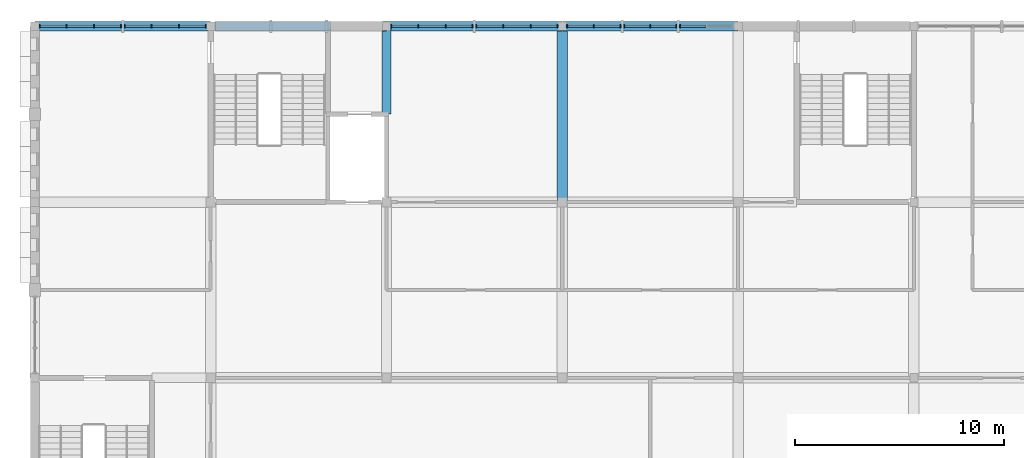
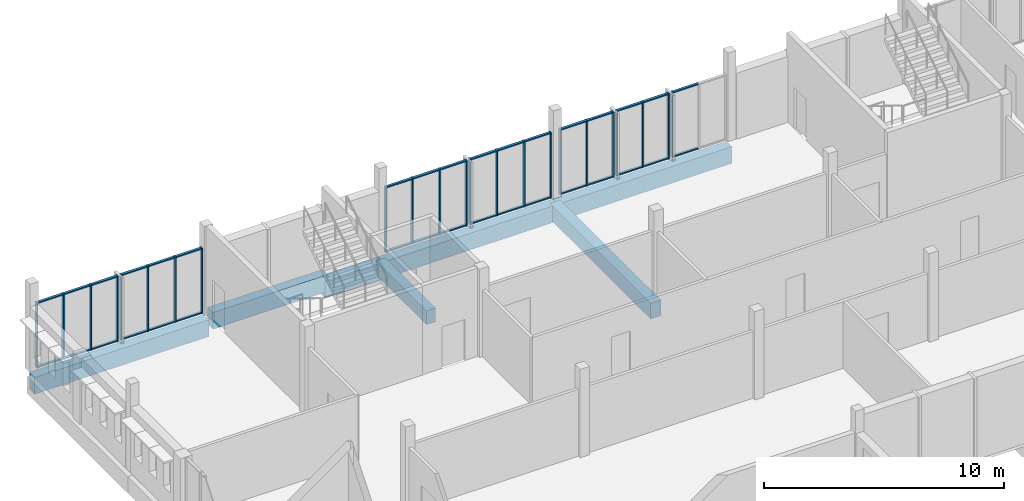
# One storey, part 9 of 30: 57 members, 7 beams, 7 elements without a shape of their own.
"""IFC4 building model written with IfcOpenShell, lengths in metres."""

from ifc_helpers import new_model, si_unit, direction, frame, origin, origin_2d, place, context, subcontext, project, spatial, rectangle, extrude, material, material_profile, profile_set, type_object, element, aggregate, save


model = new_model("IFC4")

# Units and contexts
model_context = context("Model", 3, precision=1e-05, world=origin(), true_north=direction((0.0, 1.0)))
body_context = subcontext(model_context, "Body", "Model", "MODEL_VIEW")
ifc_project = project(units=[si_unit("LENGTHUNIT", "METRE"), si_unit("AREAUNIT", "SQUARE_METRE"), si_unit("VOLUMEUNIT", "CUBIC_METRE"), si_unit("PLANEANGLEUNIT", "RADIAN"), si_unit("MASSUNIT", "GRAM", prefix="KILO")], contexts=[model_context])

# Site, building, storey
site_placement = place(None, origin())
site = spatial("IfcSite", under=ifc_project, at=site_placement, CompositionType="ELEMENT")
building_placement = place(site_placement, origin())
building = spatial("IfcBuilding", under=site, at=building_placement, Name="Fescue Hill Polytechnic", CompositionType="ELEMENT")
storey_placement = place(building_placement, frame((0.0, 0.0, 22.5)))
storey = spatial("IfcBuildingStorey", under=building, at=storey_placement, Name="L05", CompositionType="ELEMENT", Elevation=22.5)

# Beams
ifc_material_1 = material(Name="Concrete 35 MPa", Category="concrete")
ifc_material_profile_1 = material_profile(ifc_material_1, rectangle(XDim=0.449951171875, YDim=0.699951171875, at=origin_2d()), Name="RC 450x700")
ifc_profile_set_1 = profile_set([ifc_material_profile_1], Name="Concrete 35 MPa")
beam_type_1 = type_object("IfcBeamType", Name="Beam RC 450x700", PredefinedType="BEAM", material=ifc_profile_set_1)
beam_1_placement = place(storey_placement, frame((16.800048828125, 130.199951171875, -0.64990234375), z_axis=(0.0, 1.0, 0.0), x_axis=(-1.0, 0.0, 0.0)))
element("IfcBeam", 1, at=beam_1_placement, inside=storey, type_object=beam_type_1, Name="BM-L05-0042", PredefinedType="BEAM", context=body_context, shape_type="SweptSolid", body=[
    extrude(rectangle(XDim=0.449951171875, YDim=0.699951171875, at=origin_2d()), origin(), (0.0, 0.0, 1.0), 4.199951171875),
])
ifc_material_profile_2 = material_profile(ifc_material_1, rectangle(XDim=0.449951171875, YDim=0.85009765625, at=origin_2d()), Name="RC 450x850")
ifc_profile_set_2 = profile_set([ifc_material_profile_2], Name="Concrete 35 MPa")
beam_type_2 = type_object("IfcBeamType", Name="Beam RC 450x850", PredefinedType="BEAM", material=ifc_profile_set_2)
beam_2_placement = place(storey_placement, frame((0.010009765625, 134.39990234375, -0.72509765625), z_axis=(1.0, 0.0, 0.0), x_axis=(0.0, 1.0, 0.0)))
element("IfcBeam", 2, at=beam_2_placement, inside=storey, type_object=beam_type_2, Name="BM-L05-0013", PredefinedType="BEAM", context=body_context, shape_type="SweptSolid", body=[
    extrude(rectangle(XDim=0.449951171875, YDim=0.85009765625, at=origin_2d()), origin(), (0.0, 0.0, 1.0), 8.389892578125),
])
beam_3_placement = place(storey_placement, frame((14.0, 134.39990234375, -0.72509765625), z_axis=(1.0, 0.0, 0.0), x_axis=(0.0, 1.0, 0.0)))
element("IfcBeam", 3, at=beam_3_placement, inside=storey, type_object=beam_type_2, Name="BM-L05-0031", PredefinedType="BEAM", context=body_context, shape_type="SweptSolid", body=[
    extrude(rectangle(XDim=0.449951171875, YDim=0.85009765625, at=origin_2d()), origin(), (0.0, 0.0, 1.0), 2.7900390625),
])
beam_4_placement = place(storey_placement, frame((16.81005859375, 134.39990234375, -0.72509765625), z_axis=(1.0, 0.0, 0.0), x_axis=(0.0, 1.0, 0.0)))
element("IfcBeam", 4, at=beam_4_placement, inside=storey, type_object=beam_type_2, Name="BM-L05-0050", PredefinedType="BEAM", context=body_context, shape_type="SweptSolid", body=[
    extrude(rectangle(XDim=0.449951171875, YDim=0.85009765625, at=origin_2d()), origin(), (0.0, 0.0, 1.0), 8.3798828125),
])
beam_5_placement = place(storey_placement, frame((25.2099609375, 134.39990234375, -0.72509765625), z_axis=(1.0, 0.0, 0.0), x_axis=(0.0, 1.0, 0.0)))
element("IfcBeam", 5, at=beam_5_placement, inside=storey, type_object=beam_type_2, Name="BM-L05-0060", PredefinedType="BEAM", context=body_context, shape_type="SweptSolid", body=[
    extrude(rectangle(XDim=0.449951171875, YDim=0.85009765625, at=origin_2d()), origin(), (0.0, 0.0, 1.0), 8.380126953125),
])
beam_6_placement = place(storey_placement, frame((8.60009765625, 134.39990234375, -0.425048828125), z_axis=(1.0, 0.0, 0.0), x_axis=(0.0, 1.0, 0.0)))
element("IfcBeam", 6, at=beam_6_placement, inside=storey, type_object=beam_type_2, Name="BM-L05-0109", PredefinedType="BEAM", context=body_context, shape_type="SweptSolid", body=[
    extrude(rectangle(XDim=0.449951171875, YDim=0.85009765625, at=origin_2d()), origin(), (0.0, 0.0, 1.0), 5.52490234375),
])
ifc_material_profile_3 = material_profile(ifc_material_1, rectangle(XDim=0.5, YDim=0.800048828125, at=origin_2d()), Name="RC 500x800")
ifc_profile_set_3 = profile_set([ifc_material_profile_3], Name="Concrete 35 MPa")
beam_type_3 = type_object("IfcBeamType", Name="Beam RC 500x800", PredefinedType="BEAM", material=ifc_profile_set_3)
beam_7_placement = place(storey_placement, frame((25.199951171875, 126.0, -0.699951171875), z_axis=(0.0, 1.0, 0.0), x_axis=(-1.0, 0.0, 0.0)))
element("IfcBeam", 7, at=beam_7_placement, inside=storey, type_object=beam_type_3, Name="BM-L05-0058", PredefinedType="BEAM", context=body_context, shape_type="SweptSolid", body=[
    extrude(rectangle(XDim=0.5, YDim=0.800048828125, at=origin_2d()), origin(), (0.0, 0.0, 1.0), 8.39990234375),
])

# Curtain wall, member
ifc_material_2 = material(Name="Glass", Category="glass")
curtain_wall_type = type_object("IfcCurtainWallType", Name="Curtain wall structural glazing", PredefinedType="NOTDEFINED", material=ifc_material_2)
curtain_wall_1_placement = place(storey_placement, origin())
curtain_wall_1 = element("IfcCurtainWall", 8, at=curtain_wall_1_placement, inside=storey, type_object=curtain_wall_type, Name="CW-L05-V5-2", PredefinedType="NOTDEFINED")
ifc_material_3 = material(Name="Powder-coated aluminium", Category="aluminium")
ifc_material_profile_4 = material_profile(ifc_material_3, rectangle(XDim=0.159912109375, YDim=0.06005859375, at=origin_2d()), Name="Mullion aluminium 60x160")
ifc_profile_set_4 = profile_set([ifc_material_profile_4], Name="Powder-coated aluminium")
member_type_1 = type_object("IfcMemberType", Name="Mullion aluminium 60x160", PredefinedType="MULLION", material=ifc_profile_set_4)
member_1_placement = place(storey_placement, frame((30.8232421875, 134.39990234375, 0.0), z_axis=(0.0, 0.0, 1.0), x_axis=(0.0, -1.0, 0.0)))
member_1 = element("IfcMember", 9, at=member_1_placement, type_object=member_type_1, Name="CW93 mullion 3", PredefinedType="MULLION", context=body_context, shape_type="SweptSolid", body=[
    extrude(rectangle(XDim=0.159912109375, YDim=0.06005859375, at=origin_2d()), origin(), (0.0, 0.0, 1.0), 3.330078125),
])

# Curtain wall, members
curtain_wall_2_placement = place(storey_placement, origin())
curtain_wall_2 = element("IfcCurtainWall", 10, at=curtain_wall_2_placement, inside=storey, type_object=curtain_wall_type, Name="CW-L05-V5-3", PredefinedType="NOTDEFINED")
member_2_placement = place(storey_placement, frame((30.643310546875, 134.39990234375, 0.0), z_axis=(0.0, 0.0, 1.0), x_axis=(0.0, -1.0, 0.0)))
member_2 = element("IfcMember", 11, at=member_2_placement, type_object=member_type_1, Name="CW94 mullion 1", PredefinedType="MULLION", context=body_context, shape_type="SweptSolid", body=[
    extrude(rectangle(XDim=0.159912109375, YDim=0.06005859375, at=origin_2d()), origin(), (0.0, 0.0, 1.0), 3.330078125),
])
member_3_placement = place(storey_placement, frame((29.39990234375, 134.39990234375, 0.0), z_axis=(0.0, 0.0, 1.0), x_axis=(0.0, -1.0, 0.0)))
member_3 = element("IfcMember", 12, at=member_3_placement, type_object=member_type_1, Name="CW94 mullion 2", PredefinedType="MULLION", context=body_context, shape_type="SweptSolid", body=[
    extrude(rectangle(XDim=0.159912109375, YDim=0.06005859375, at=origin_2d()), origin(), (0.0, 0.0, 1.0), 3.330078125),
])
member_4_placement = place(storey_placement, frame((28.15673828125, 134.39990234375, 0.0), z_axis=(0.0, 0.0, 1.0), x_axis=(0.0, -1.0, 0.0)))
member_4 = element("IfcMember", 13, at=member_4_placement, type_object=member_type_1, Name="CW94 mullion 3", PredefinedType="MULLION", context=body_context, shape_type="SweptSolid", body=[
    extrude(rectangle(XDim=0.159912109375, YDim=0.06005859375, at=origin_2d()), origin(), (0.0, 0.0, 1.0), 3.330078125),
])

curtain_wall_3_placement = place(storey_placement, origin())
curtain_wall_3 = element("IfcCurtainWall", 14, at=curtain_wall_3_placement, inside=storey, type_object=curtain_wall_type, Name="CW-L05-V5-4", PredefinedType="NOTDEFINED")
member_5_placement = place(storey_placement, frame((27.976806640625, 134.39990234375, 0.0), z_axis=(0.0, 0.0, 1.0), x_axis=(0.0, -1.0, 0.0)))
member_5 = element("IfcMember", 15, at=member_5_placement, type_object=member_type_1, Name="CW95 mullion 1", PredefinedType="MULLION", context=body_context, shape_type="SweptSolid", body=[
    extrude(rectangle(XDim=0.159912109375, YDim=0.06005859375, at=origin_2d()), origin(), (0.0, 0.0, 1.0), 3.330078125),
])
member_6_placement = place(storey_placement, frame((26.703369140625, 134.39990234375, 0.0), z_axis=(0.0, 0.0, 1.0), x_axis=(0.0, -1.0, 0.0)))
member_6 = element("IfcMember", 16, at=member_6_placement, type_object=member_type_1, Name="CW95 mullion 2", PredefinedType="MULLION", context=body_context, shape_type="SweptSolid", body=[
    extrude(rectangle(XDim=0.159912109375, YDim=0.06005859375, at=origin_2d()), origin(), (0.0, 0.0, 1.0), 3.330078125),
])
member_7_placement = place(storey_placement, frame((25.429931640625, 134.39990234375, 0.0), z_axis=(0.0, 0.0, 1.0), x_axis=(0.0, -1.0, 0.0)))
member_7 = element("IfcMember", 17, at=member_7_placement, type_object=member_type_1, Name="CW95 mullion 3", PredefinedType="MULLION", context=body_context, shape_type="SweptSolid", body=[
    extrude(rectangle(XDim=0.159912109375, YDim=0.06005859375, at=origin_2d()), origin(), (0.0, 0.0, 1.0), 3.330078125),
])

curtain_wall_4_placement = place(storey_placement, origin())
curtain_wall_4 = element("IfcCurtainWall", 18, at=curtain_wall_4_placement, inside=storey, type_object=curtain_wall_type, Name="CW-L05-V5-5", PredefinedType="NOTDEFINED")
member_8_placement = place(storey_placement, frame((24.969970703125, 134.39990234375, 0.0), z_axis=(0.0, 0.0, 1.0), x_axis=(0.0, -1.0, 0.0)))
member_8 = element("IfcMember", 19, at=member_8_placement, type_object=member_type_1, Name="CW96 mullion 1", PredefinedType="MULLION", context=body_context, shape_type="SweptSolid", body=[
    extrude(rectangle(XDim=0.159912109375, YDim=0.06005859375, at=origin_2d()), origin(), (0.0, 0.0, 1.0), 3.330078125),
])
member_9_placement = place(storey_placement, frame((23.686767578125, 134.39990234375, 0.0), z_axis=(0.0, 0.0, 1.0), x_axis=(0.0, -1.0, 0.0)))
member_9 = element("IfcMember", 20, at=member_9_placement, type_object=member_type_1, Name="CW96 mullion 2", PredefinedType="MULLION", context=body_context, shape_type="SweptSolid", body=[
    extrude(rectangle(XDim=0.159912109375, YDim=0.06005859375, at=origin_2d()), origin(), (0.0, 0.0, 1.0), 3.330078125),
])
member_10_placement = place(storey_placement, frame((22.373291015625, 134.39990234375, 0.0), z_axis=(0.0, 0.0, 1.0), x_axis=(0.0, -1.0, 0.0)))
member_10 = element("IfcMember", 21, at=member_10_placement, type_object=member_type_1, Name="CW96 mullion 3", PredefinedType="MULLION", context=body_context, shape_type="SweptSolid", body=[
    extrude(rectangle(XDim=0.159912109375, YDim=0.06005859375, at=origin_2d()), origin(), (0.0, 0.0, 1.0), 3.330078125),
])
member_11_placement = place(storey_placement, frame((21.090087890625, 134.39990234375, 0.0), z_axis=(0.0, 0.0, 1.0), x_axis=(0.0, -1.0, 0.0)))
member_11 = element("IfcMember", 22, at=member_11_placement, type_object=member_type_1, Name="CW96 mullion 4", PredefinedType="MULLION", context=body_context, shape_type="SweptSolid", body=[
    extrude(rectangle(XDim=0.159912109375, YDim=0.06005859375, at=origin_2d()), origin(), (0.0, 0.0, 1.0), 3.330078125),
])

curtain_wall_5_placement = place(storey_placement, origin())
curtain_wall_5 = element("IfcCurtainWall", 23, at=curtain_wall_5_placement, inside=storey, type_object=curtain_wall_type, Name="CW-L05-V5-6", PredefinedType="NOTDEFINED")
member_12_placement = place(storey_placement, frame((20.909912109375, 134.39990234375, 0.0), z_axis=(0.0, 0.0, 1.0), x_axis=(0.0, -1.0, 0.0)))
member_12 = element("IfcMember", 24, at=member_12_placement, type_object=member_type_1, Name="CW97 mullion 1", PredefinedType="MULLION", context=body_context, shape_type="SweptSolid", body=[
    extrude(rectangle(XDim=0.159912109375, YDim=0.06005859375, at=origin_2d()), origin(), (0.0, 0.0, 1.0), 3.330078125),
])
member_13_placement = place(storey_placement, frame((19.626708984375, 134.39990234375, 0.0), z_axis=(0.0, 0.0, 1.0), x_axis=(0.0, -1.0, 0.0)))
member_13 = element("IfcMember", 25, at=member_13_placement, type_object=member_type_1, Name="CW97 mullion 2", PredefinedType="MULLION", context=body_context, shape_type="SweptSolid", body=[
    extrude(rectangle(XDim=0.159912109375, YDim=0.06005859375, at=origin_2d()), origin(), (0.0, 0.0, 1.0), 3.330078125),
])
member_14_placement = place(storey_placement, frame((18.313232421875, 134.39990234375, 0.0), z_axis=(0.0, 0.0, 1.0), x_axis=(0.0, -1.0, 0.0)))
member_14 = element("IfcMember", 26, at=member_14_placement, type_object=member_type_1, Name="CW97 mullion 3", PredefinedType="MULLION", context=body_context, shape_type="SweptSolid", body=[
    extrude(rectangle(XDim=0.159912109375, YDim=0.06005859375, at=origin_2d()), origin(), (0.0, 0.0, 1.0), 3.330078125),
])
member_15_placement = place(storey_placement, frame((17.030029296875, 134.39990234375, 0.0), z_axis=(0.0, 0.0, 1.0), x_axis=(0.0, -1.0, 0.0)))
member_15 = element("IfcMember", 27, at=member_15_placement, type_object=member_type_1, Name="CW97 mullion 4", PredefinedType="MULLION", context=body_context, shape_type="SweptSolid", body=[
    extrude(rectangle(XDim=0.159912109375, YDim=0.06005859375, at=origin_2d()), origin(), (0.0, 0.0, 1.0), 3.330078125),
])

curtain_wall_6_placement = place(storey_placement, origin())
curtain_wall_6 = element("IfcCurtainWall", 28, at=curtain_wall_6_placement, inside=storey, type_object=curtain_wall_type, Name="CW-L05-V5-7", PredefinedType="NOTDEFINED")
member_16_placement = place(storey_placement, frame((4.110107421875, 134.39990234375, 0.0), z_axis=(0.0, 0.0, 1.0), x_axis=(0.0, -1.0, 0.0)))
member_16 = element("IfcMember", 29, at=member_16_placement, type_object=member_type_1, Name="CW98 mullion 1", PredefinedType="MULLION", context=body_context, shape_type="SweptSolid", body=[
    extrude(rectangle(XDim=0.159912109375, YDim=0.06005859375, at=origin_2d()), origin(), (0.0, 0.0, 1.0), 3.330078125),
])
member_17_placement = place(storey_placement, frame((2.82666015625, 134.39990234375, 0.0), z_axis=(0.0, 0.0, 1.0), x_axis=(0.0, -1.0, 0.0)))
member_17 = element("IfcMember", 30, at=member_17_placement, type_object=member_type_1, Name="CW98 mullion 2", PredefinedType="MULLION", context=body_context, shape_type="SweptSolid", body=[
    extrude(rectangle(XDim=0.159912109375, YDim=0.06005859375, at=origin_2d()), origin(), (0.0, 0.0, 1.0), 3.330078125),
])
member_18_placement = place(storey_placement, frame((1.513427734375, 134.39990234375, 0.0), z_axis=(0.0, 0.0, 1.0), x_axis=(0.0, -1.0, 0.0)))
member_18 = element("IfcMember", 31, at=member_18_placement, type_object=member_type_1, Name="CW98 mullion 3", PredefinedType="MULLION", context=body_context, shape_type="SweptSolid", body=[
    extrude(rectangle(XDim=0.159912109375, YDim=0.06005859375, at=origin_2d()), origin(), (0.0, 0.0, 1.0), 3.330078125),
])
member_19_placement = place(storey_placement, frame((0.22998046875, 134.39990234375, 0.0), z_axis=(0.0, 0.0, 1.0), x_axis=(0.0, -1.0, 0.0)))
member_19 = element("IfcMember", 32, at=member_19_placement, type_object=member_type_1, Name="CW98 mullion 4", PredefinedType="MULLION", context=body_context, shape_type="SweptSolid", body=[
    extrude(rectangle(XDim=0.159912109375, YDim=0.06005859375, at=origin_2d()), origin(), (0.0, 0.0, 1.0), 3.330078125),
])

curtain_wall_7_placement = place(storey_placement, origin())
curtain_wall_7 = element("IfcCurtainWall", 33, at=curtain_wall_7_placement, inside=storey, type_object=curtain_wall_type, Name="CW-L05-V5-X3", PredefinedType="NOTDEFINED")
member_20_placement = place(storey_placement, frame((8.169921875, 134.39990234375, 0.0), z_axis=(0.0, 0.0, 1.0), x_axis=(0.0, -1.0, 0.0)))
member_20 = element("IfcMember", 34, at=member_20_placement, type_object=member_type_1, Name="CW160 mullion 1", PredefinedType="MULLION", context=body_context, shape_type="SweptSolid", body=[
    extrude(rectangle(XDim=0.159912109375, YDim=0.06005859375, at=origin_2d()), origin(), (0.0, 0.0, 1.0), 3.330078125),
])
member_21_placement = place(storey_placement, frame((6.88671875, 134.39990234375, 0.0), z_axis=(0.0, 0.0, 1.0), x_axis=(0.0, -1.0, 0.0)))
member_21 = element("IfcMember", 35, at=member_21_placement, type_object=member_type_1, Name="CW160 mullion 2", PredefinedType="MULLION", context=body_context, shape_type="SweptSolid", body=[
    extrude(rectangle(XDim=0.159912109375, YDim=0.06005859375, at=origin_2d()), origin(), (0.0, 0.0, 1.0), 3.330078125),
])
member_22_placement = place(storey_placement, frame((5.5732421875, 134.39990234375, 0.0), z_axis=(0.0, 0.0, 1.0), x_axis=(0.0, -1.0, 0.0)))
member_22 = element("IfcMember", 36, at=member_22_placement, type_object=member_type_1, Name="CW160 mullion 3", PredefinedType="MULLION", context=body_context, shape_type="SweptSolid", body=[
    extrude(rectangle(XDim=0.159912109375, YDim=0.06005859375, at=origin_2d()), origin(), (0.0, 0.0, 1.0), 3.330078125),
])
member_23_placement = place(storey_placement, frame((4.2900390625, 134.39990234375, 0.0), z_axis=(0.0, 0.0, 1.0), x_axis=(0.0, -1.0, 0.0)))
member_23 = element("IfcMember", 37, at=member_23_placement, type_object=member_type_1, Name="CW160 mullion 4", PredefinedType="MULLION", context=body_context, shape_type="SweptSolid", body=[
    extrude(rectangle(XDim=0.159912109375, YDim=0.06005859375, at=origin_2d()), origin(), (0.0, 0.0, 1.0), 3.330078125),
])

# Member
ifc_material_profile_5 = material_profile(ifc_material_3, rectangle(XDim=0.1201171875, YDim=0.06005859375, at=origin_2d()), Name="Transom aluminium 60x120")
ifc_profile_set_5 = profile_set([ifc_material_profile_5], Name="Powder-coated aluminium")
member_type_2 = type_object("IfcMemberType", Name="Transom aluminium 60x120", PredefinedType="USERDEFINED", material=ifc_profile_set_5)
member_24_placement = place(storey_placement, frame((32.066650390625, 134.39990234375, 0.030029296875), z_axis=(-1.0, 0.0, 0.0), x_axis=(0.0, -1.0, 0.0)))
member_24 = element("IfcMember", 38, at=member_24_placement, type_object=member_type_2, Name="CW93 transom 2.1", ObjectType="TRANSOM", PredefinedType="USERDEFINED", context=body_context, shape_type="SweptSolid", body=[
    extrude(rectangle(XDim=0.1201171875, YDim=0.06005859375, at=origin_2d()), origin(), (0.0, 0.0, 1.0), 1.21337890625),
])

member_25_placement = place(storey_placement, frame((32.066650390625, 134.39990234375, 3.300048828125), z_axis=(-1.0, 0.0, 0.0), x_axis=(0.0, -1.0, 0.0)))
member_25 = element("IfcMember", 39, at=member_25_placement, type_object=member_type_2, Name="CW93 transom 2.2", ObjectType="TRANSOM", PredefinedType="USERDEFINED", context=body_context, shape_type="SweptSolid", body=[
    extrude(rectangle(XDim=0.1201171875, YDim=0.06005859375, at=origin_2d()), origin(), (0.0, 0.0, 1.0), 1.21337890625),
])

aggregate(curtain_wall_1, [member_1, member_24, member_25])

member_26_placement = place(storey_placement, frame((30.61328125, 134.39990234375, 0.030029296875), z_axis=(-1.0, 0.0, 0.0), x_axis=(0.0, -1.0, 0.0)))
member_26 = element("IfcMember", 40, at=member_26_placement, type_object=member_type_2, Name="CW94 transom 1.1", ObjectType="TRANSOM", PredefinedType="USERDEFINED", context=body_context, shape_type="SweptSolid", body=[
    extrude(rectangle(XDim=0.1201171875, YDim=0.06005859375, at=origin_2d()), origin(), (0.0, 0.0, 1.0), 1.183349609375),
])

member_27_placement = place(storey_placement, frame((30.61328125, 134.39990234375, 3.300048828125), z_axis=(-1.0, 0.0, 0.0), x_axis=(0.0, -1.0, 0.0)))
member_27 = element("IfcMember", 41, at=member_27_placement, type_object=member_type_2, Name="CW94 transom 1.2", ObjectType="TRANSOM", PredefinedType="USERDEFINED", context=body_context, shape_type="SweptSolid", body=[
    extrude(rectangle(XDim=0.1201171875, YDim=0.06005859375, at=origin_2d()), origin(), (0.0, 0.0, 1.0), 1.183349609375),
])

member_28_placement = place(storey_placement, frame((29.3701171875, 134.39990234375, 0.030029296875), z_axis=(-1.0, 0.0, 0.0), x_axis=(0.0, -1.0, 0.0)))
member_28 = element("IfcMember", 42, at=member_28_placement, type_object=member_type_2, Name="CW94 transom 2.1", ObjectType="TRANSOM", PredefinedType="USERDEFINED", context=body_context, shape_type="SweptSolid", body=[
    extrude(rectangle(XDim=0.1201171875, YDim=0.06005859375, at=origin_2d()), origin(), (0.0, 0.0, 1.0), 1.183349609375),
])

member_29_placement = place(storey_placement, frame((29.3701171875, 134.39990234375, 3.300048828125), z_axis=(-1.0, 0.0, 0.0), x_axis=(0.0, -1.0, 0.0)))
member_29 = element("IfcMember", 43, at=member_29_placement, type_object=member_type_2, Name="CW94 transom 2.2", ObjectType="TRANSOM", PredefinedType="USERDEFINED", context=body_context, shape_type="SweptSolid", body=[
    extrude(rectangle(XDim=0.1201171875, YDim=0.06005859375, at=origin_2d()), origin(), (0.0, 0.0, 1.0), 1.183349609375),
])

aggregate(curtain_wall_2, [member_2, member_3, member_4, member_26, member_27, member_28, member_29])

member_30_placement = place(storey_placement, frame((27.94677734375, 134.39990234375, 0.030029296875), z_axis=(-1.0, 0.0, 0.0), x_axis=(0.0, -1.0, 0.0)))
member_30 = element("IfcMember", 44, at=member_30_placement, type_object=member_type_2, Name="CW95 transom 1.1", ObjectType="TRANSOM", PredefinedType="USERDEFINED", context=body_context, shape_type="SweptSolid", body=[
    extrude(rectangle(XDim=0.1201171875, YDim=0.06005859375, at=origin_2d()), origin(), (0.0, 0.0, 1.0), 1.21337890625),
])

member_31_placement = place(storey_placement, frame((27.94677734375, 134.39990234375, 3.300048828125), z_axis=(-1.0, 0.0, 0.0), x_axis=(0.0, -1.0, 0.0)))
member_31 = element("IfcMember", 45, at=member_31_placement, type_object=member_type_2, Name="CW95 transom 1.2", ObjectType="TRANSOM", PredefinedType="USERDEFINED", context=body_context, shape_type="SweptSolid", body=[
    extrude(rectangle(XDim=0.1201171875, YDim=0.06005859375, at=origin_2d()), origin(), (0.0, 0.0, 1.0), 1.21337890625),
])

member_32_placement = place(storey_placement, frame((26.67333984375, 134.39990234375, 0.030029296875), z_axis=(-1.0, 0.0, 0.0), x_axis=(0.0, -1.0, 0.0)))
member_32 = element("IfcMember", 46, at=member_32_placement, type_object=member_type_2, Name="CW95 transom 2.1", ObjectType="TRANSOM", PredefinedType="USERDEFINED", context=body_context, shape_type="SweptSolid", body=[
    extrude(rectangle(XDim=0.1201171875, YDim=0.06005859375, at=origin_2d()), origin(), (0.0, 0.0, 1.0), 1.21337890625),
])

member_33_placement = place(storey_placement, frame((26.67333984375, 134.39990234375, 3.300048828125), z_axis=(-1.0, 0.0, 0.0), x_axis=(0.0, -1.0, 0.0)))
member_33 = element("IfcMember", 47, at=member_33_placement, type_object=member_type_2, Name="CW95 transom 2.2", ObjectType="TRANSOM", PredefinedType="USERDEFINED", context=body_context, shape_type="SweptSolid", body=[
    extrude(rectangle(XDim=0.1201171875, YDim=0.06005859375, at=origin_2d()), origin(), (0.0, 0.0, 1.0), 1.21337890625),
])

aggregate(curtain_wall_3, [member_5, member_6, member_7, member_30, member_31, member_32, member_33])

member_34_placement = place(storey_placement, frame((24.93994140625, 134.39990234375, 0.030029296875), z_axis=(-1.0, 0.0, 0.0), x_axis=(0.0, -1.0, 0.0)))
member_34 = element("IfcMember", 48, at=member_34_placement, type_object=member_type_2, Name="CW96 transom 1.1", ObjectType="TRANSOM", PredefinedType="USERDEFINED", context=body_context, shape_type="SweptSolid", body=[
    extrude(rectangle(XDim=0.1201171875, YDim=0.06005859375, at=origin_2d()), origin(), (0.0, 0.0, 1.0), 1.223388671875),
])

member_35_placement = place(storey_placement, frame((24.93994140625, 134.39990234375, 3.300048828125), z_axis=(-1.0, 0.0, 0.0), x_axis=(0.0, -1.0, 0.0)))
member_35 = element("IfcMember", 49, at=member_35_placement, type_object=member_type_2, Name="CW96 transom 1.2", ObjectType="TRANSOM", PredefinedType="USERDEFINED", context=body_context, shape_type="SweptSolid", body=[
    extrude(rectangle(XDim=0.1201171875, YDim=0.06005859375, at=origin_2d()), origin(), (0.0, 0.0, 1.0), 1.223388671875),
])

member_36_placement = place(storey_placement, frame((23.65673828125, 134.39990234375, 0.030029296875), z_axis=(-1.0, 0.0, 0.0), x_axis=(0.0, -1.0, 0.0)))
member_36 = element("IfcMember", 50, at=member_36_placement, type_object=member_type_2, Name="CW96 transom 2.1", ObjectType="TRANSOM", PredefinedType="USERDEFINED", context=body_context, shape_type="SweptSolid", body=[
    extrude(rectangle(XDim=0.1201171875, YDim=0.06005859375, at=origin_2d()), origin(), (0.0, 0.0, 1.0), 1.25341796875),
])

member_37_placement = place(storey_placement, frame((23.65673828125, 134.39990234375, 3.300048828125), z_axis=(-1.0, 0.0, 0.0), x_axis=(0.0, -1.0, 0.0)))
member_37 = element("IfcMember", 51, at=member_37_placement, type_object=member_type_2, Name="CW96 transom 2.2", ObjectType="TRANSOM", PredefinedType="USERDEFINED", context=body_context, shape_type="SweptSolid", body=[
    extrude(rectangle(XDim=0.1201171875, YDim=0.06005859375, at=origin_2d()), origin(), (0.0, 0.0, 1.0), 1.25341796875),
])

member_38_placement = place(storey_placement, frame((22.34326171875, 134.39990234375, 0.030029296875), z_axis=(-1.0, 0.0, 0.0), x_axis=(0.0, -1.0, 0.0)))
member_38 = element("IfcMember", 52, at=member_38_placement, type_object=member_type_2, Name="CW96 transom 3.1", ObjectType="TRANSOM", PredefinedType="USERDEFINED", context=body_context, shape_type="SweptSolid", body=[
    extrude(rectangle(XDim=0.1201171875, YDim=0.06005859375, at=origin_2d()), origin(), (0.0, 0.0, 1.0), 1.22314453125),
])

member_39_placement = place(storey_placement, frame((22.34326171875, 134.39990234375, 3.300048828125), z_axis=(-1.0, 0.0, 0.0), x_axis=(0.0, -1.0, 0.0)))
member_39 = element("IfcMember", 53, at=member_39_placement, type_object=member_type_2, Name="CW96 transom 3.2", ObjectType="TRANSOM", PredefinedType="USERDEFINED", context=body_context, shape_type="SweptSolid", body=[
    extrude(rectangle(XDim=0.1201171875, YDim=0.06005859375, at=origin_2d()), origin(), (0.0, 0.0, 1.0), 1.22314453125),
])

aggregate(curtain_wall_4, [member_8, member_9, member_10, member_11, member_34, member_35, member_36, member_37, member_38, member_39])

member_40_placement = place(storey_placement, frame((20.8798828125, 134.39990234375, 0.030029296875), z_axis=(-1.0, 0.0, 0.0), x_axis=(0.0, -1.0, 0.0)))
member_40 = element("IfcMember", 54, at=member_40_placement, type_object=member_type_2, Name="CW97 transom 1.1", ObjectType="TRANSOM", PredefinedType="USERDEFINED", context=body_context, shape_type="SweptSolid", body=[
    extrude(rectangle(XDim=0.1201171875, YDim=0.06005859375, at=origin_2d()), origin(), (0.0, 0.0, 1.0), 1.22314453125),
])

member_41_placement = place(storey_placement, frame((20.8798828125, 134.39990234375, 3.300048828125), z_axis=(-1.0, 0.0, 0.0), x_axis=(0.0, -1.0, 0.0)))
member_41 = element("IfcMember", 55, at=member_41_placement, type_object=member_type_2, Name="CW97 transom 1.2", ObjectType="TRANSOM", PredefinedType="USERDEFINED", context=body_context, shape_type="SweptSolid", body=[
    extrude(rectangle(XDim=0.1201171875, YDim=0.06005859375, at=origin_2d()), origin(), (0.0, 0.0, 1.0), 1.22314453125),
])

member_42_placement = place(storey_placement, frame((19.5966796875, 134.39990234375, 0.030029296875), z_axis=(-1.0, 0.0, 0.0), x_axis=(0.0, -1.0, 0.0)))
member_42 = element("IfcMember", 56, at=member_42_placement, type_object=member_type_2, Name="CW97 transom 2.1", ObjectType="TRANSOM", PredefinedType="USERDEFINED", context=body_context, shape_type="SweptSolid", body=[
    extrude(rectangle(XDim=0.1201171875, YDim=0.06005859375, at=origin_2d()), origin(), (0.0, 0.0, 1.0), 1.25341796875),
])

member_43_placement = place(storey_placement, frame((19.5966796875, 134.39990234375, 3.300048828125), z_axis=(-1.0, 0.0, 0.0), x_axis=(0.0, -1.0, 0.0)))
member_43 = element("IfcMember", 57, at=member_43_placement, type_object=member_type_2, Name="CW97 transom 2.2", ObjectType="TRANSOM", PredefinedType="USERDEFINED", context=body_context, shape_type="SweptSolid", body=[
    extrude(rectangle(XDim=0.1201171875, YDim=0.06005859375, at=origin_2d()), origin(), (0.0, 0.0, 1.0), 1.25341796875),
])

member_44_placement = place(storey_placement, frame((18.283447265625, 134.39990234375, 0.030029296875), z_axis=(-1.0, 0.0, 0.0), x_axis=(0.0, -1.0, 0.0)))
member_44 = element("IfcMember", 58, at=member_44_placement, type_object=member_type_2, Name="CW97 transom 3.1", ObjectType="TRANSOM", PredefinedType="USERDEFINED", context=body_context, shape_type="SweptSolid", body=[
    extrude(rectangle(XDim=0.1201171875, YDim=0.06005859375, at=origin_2d()), origin(), (0.0, 0.0, 1.0), 1.223388671875),
])

member_45_placement = place(storey_placement, frame((18.283447265625, 134.39990234375, 3.300048828125), z_axis=(-1.0, 0.0, 0.0), x_axis=(0.0, -1.0, 0.0)))
member_45 = element("IfcMember", 59, at=member_45_placement, type_object=member_type_2, Name="CW97 transom 3.2", ObjectType="TRANSOM", PredefinedType="USERDEFINED", context=body_context, shape_type="SweptSolid", body=[
    extrude(rectangle(XDim=0.1201171875, YDim=0.06005859375, at=origin_2d()), origin(), (0.0, 0.0, 1.0), 1.223388671875),
])

aggregate(curtain_wall_5, [member_12, member_13, member_14, member_15, member_40, member_41, member_42, member_43, member_44, member_45])

member_46_placement = place(storey_placement, frame((4.080078125, 134.39990234375, 0.030029296875), z_axis=(-1.0, 0.0, 0.0), x_axis=(0.0, -1.0, 0.0)))
member_46 = element("IfcMember", 60, at=member_46_placement, type_object=member_type_2, Name="CW98 transom 1.1", ObjectType="TRANSOM", PredefinedType="USERDEFINED", context=body_context, shape_type="SweptSolid", body=[
    extrude(rectangle(XDim=0.1201171875, YDim=0.06005859375, at=origin_2d()), origin(), (0.0, 0.0, 1.0), 1.223388671875),
])

member_47_placement = place(storey_placement, frame((4.080078125, 134.39990234375, 3.300048828125), z_axis=(-1.0, 0.0, 0.0), x_axis=(0.0, -1.0, 0.0)))
member_47 = element("IfcMember", 61, at=member_47_placement, type_object=member_type_2, Name="CW98 transom 1.2", ObjectType="TRANSOM", PredefinedType="USERDEFINED", context=body_context, shape_type="SweptSolid", body=[
    extrude(rectangle(XDim=0.1201171875, YDim=0.06005859375, at=origin_2d()), origin(), (0.0, 0.0, 1.0), 1.223388671875),
])

member_48_placement = place(storey_placement, frame((2.796630859375, 134.39990234375, 0.030029296875), z_axis=(-1.0, 0.0, 0.0), x_axis=(0.0, -1.0, 0.0)))
member_48 = element("IfcMember", 62, at=member_48_placement, type_object=member_type_2, Name="CW98 transom 2.1", ObjectType="TRANSOM", PredefinedType="USERDEFINED", context=body_context, shape_type="SweptSolid", body=[
    extrude(rectangle(XDim=0.1201171875, YDim=0.06005859375, at=origin_2d()), origin(), (0.0, 0.0, 1.0), 1.25341796875),
])

member_49_placement = place(storey_placement, frame((2.796630859375, 134.39990234375, 3.300048828125), z_axis=(-1.0, 0.0, 0.0), x_axis=(0.0, -1.0, 0.0)))
member_49 = element("IfcMember", 63, at=member_49_placement, type_object=member_type_2, Name="CW98 transom 2.2", ObjectType="TRANSOM", PredefinedType="USERDEFINED", context=body_context, shape_type="SweptSolid", body=[
    extrude(rectangle(XDim=0.1201171875, YDim=0.06005859375, at=origin_2d()), origin(), (0.0, 0.0, 1.0), 1.25341796875),
])

member_50_placement = place(storey_placement, frame((1.4833984375, 134.39990234375, 0.030029296875), z_axis=(-1.0, 0.0, 0.0), x_axis=(0.0, -1.0, 0.0)))
member_50 = element("IfcMember", 64, at=member_50_placement, type_object=member_type_2, Name="CW98 transom 3.1", ObjectType="TRANSOM", PredefinedType="USERDEFINED", context=body_context, shape_type="SweptSolid", body=[
    extrude(rectangle(XDim=0.1201171875, YDim=0.06005859375, at=origin_2d()), origin(), (0.0, 0.0, 1.0), 1.223388671875),
])

member_51_placement = place(storey_placement, frame((1.4833984375, 134.39990234375, 3.300048828125), z_axis=(-1.0, 0.0, 0.0), x_axis=(0.0, -1.0, 0.0)))
member_51 = element("IfcMember", 65, at=member_51_placement, type_object=member_type_2, Name="CW98 transom 3.2", ObjectType="TRANSOM", PredefinedType="USERDEFINED", context=body_context, shape_type="SweptSolid", body=[
    extrude(rectangle(XDim=0.1201171875, YDim=0.06005859375, at=origin_2d()), origin(), (0.0, 0.0, 1.0), 1.223388671875),
])

aggregate(curtain_wall_6, [member_16, member_17, member_18, member_19, member_46, member_47, member_48, member_49, member_50, member_51])

member_52_placement = place(storey_placement, frame((8.139892578125, 134.39990234375, 0.030029296875), z_axis=(-1.0, 0.0, 0.0), x_axis=(0.0, -1.0, 0.0)))
member_52 = element("IfcMember", 66, at=member_52_placement, type_object=member_type_2, Name="CW160 transom 1.1", ObjectType="TRANSOM", PredefinedType="USERDEFINED", context=body_context, shape_type="SweptSolid", body=[
    extrude(rectangle(XDim=0.1201171875, YDim=0.06005859375, at=origin_2d()), origin(), (0.0, 0.0, 1.0), 1.22314453125),
])

member_53_placement = place(storey_placement, frame((8.139892578125, 134.39990234375, 3.300048828125), z_axis=(-1.0, 0.0, 0.0), x_axis=(0.0, -1.0, 0.0)))
member_53 = element("IfcMember", 67, at=member_53_placement, type_object=member_type_2, Name="CW160 transom 1.2", ObjectType="TRANSOM", PredefinedType="USERDEFINED", context=body_context, shape_type="SweptSolid", body=[
    extrude(rectangle(XDim=0.1201171875, YDim=0.06005859375, at=origin_2d()), origin(), (0.0, 0.0, 1.0), 1.22314453125),
])

member_54_placement = place(storey_placement, frame((6.856689453125, 134.39990234375, 0.030029296875), z_axis=(-1.0, 0.0, 0.0), x_axis=(0.0, -1.0, 0.0)))
member_54 = element("IfcMember", 68, at=member_54_placement, type_object=member_type_2, Name="CW160 transom 2.1", ObjectType="TRANSOM", PredefinedType="USERDEFINED", context=body_context, shape_type="SweptSolid", body=[
    extrude(rectangle(XDim=0.1201171875, YDim=0.06005859375, at=origin_2d()), origin(), (0.0, 0.0, 1.0), 1.25341796875),
])

member_55_placement = place(storey_placement, frame((6.856689453125, 134.39990234375, 3.300048828125), z_axis=(-1.0, 0.0, 0.0), x_axis=(0.0, -1.0, 0.0)))
member_55 = element("IfcMember", 69, at=member_55_placement, type_object=member_type_2, Name="CW160 transom 2.2", ObjectType="TRANSOM", PredefinedType="USERDEFINED", context=body_context, shape_type="SweptSolid", body=[
    extrude(rectangle(XDim=0.1201171875, YDim=0.06005859375, at=origin_2d()), origin(), (0.0, 0.0, 1.0), 1.25341796875),
])

member_56_placement = place(storey_placement, frame((5.543212890625, 134.39990234375, 0.030029296875), z_axis=(-1.0, 0.0, 0.0), x_axis=(0.0, -1.0, 0.0)))
member_56 = element("IfcMember", 70, at=member_56_placement, type_object=member_type_2, Name="CW160 transom 3.1", ObjectType="TRANSOM", PredefinedType="USERDEFINED", context=body_context, shape_type="SweptSolid", body=[
    extrude(rectangle(XDim=0.1201171875, YDim=0.06005859375, at=origin_2d()), origin(), (0.0, 0.0, 1.0), 1.22314453125),
])

member_57_placement = place(storey_placement, frame((5.543212890625, 134.39990234375, 3.300048828125), z_axis=(-1.0, 0.0, 0.0), x_axis=(0.0, -1.0, 0.0)))
member_57 = element("IfcMember", 71, at=member_57_placement, type_object=member_type_2, Name="CW160 transom 3.2", ObjectType="TRANSOM", PredefinedType="USERDEFINED", context=body_context, shape_type="SweptSolid", body=[
    extrude(rectangle(XDim=0.1201171875, YDim=0.06005859375, at=origin_2d()), origin(), (0.0, 0.0, 1.0), 1.22314453125),
])

aggregate(curtain_wall_7, [member_20, member_21, member_22, member_23, member_52, member_53, member_54, member_55, member_56, member_57])

save(model, "model.ifc")
